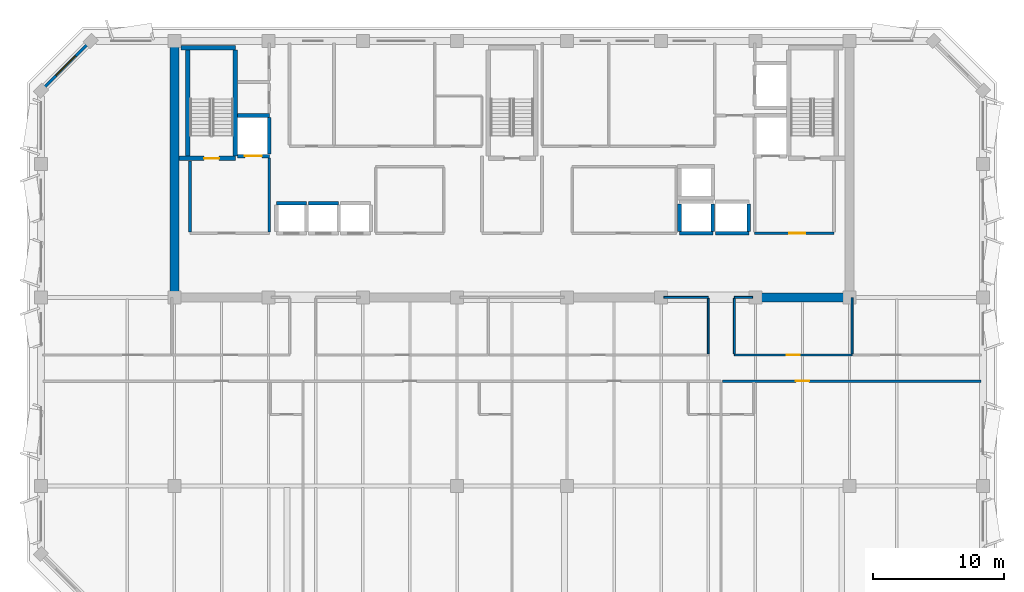
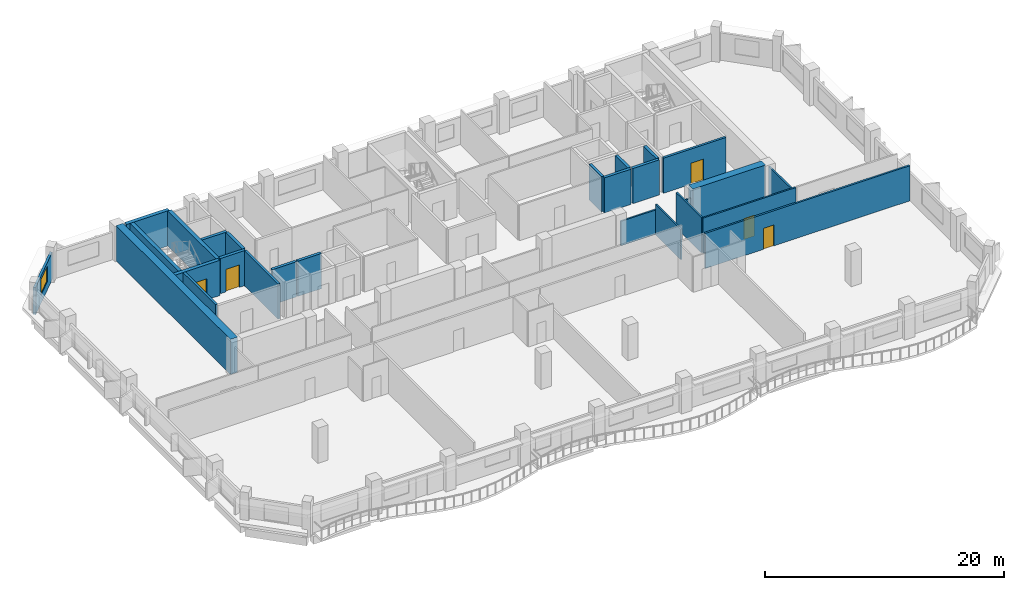
# One storey, part 5 of 11: 27 walls, 5 doors, 1 window, 6 openings.
"""IFC4 building model written with IfcOpenShell, lengths in metres."""

from ifc_helpers import new_model, si_unit, direction, frame, frame_2d, origin, place, context, subcontext, project, spatial, rectangle, extrude, material, layer, layer_set, type_object, element, fill, save


model = new_model("IFC4")

# Units and contexts
model_context = context("Model", 3, precision=1e-05, world=origin(), true_north=direction((0.0, 1.0)))
body_context = subcontext(model_context, "Body", "Model", "MODEL_VIEW")
ifc_project = project(units=[si_unit("LENGTHUNIT", "METRE"), si_unit("AREAUNIT", "SQUARE_METRE"), si_unit("VOLUMEUNIT", "CUBIC_METRE"), si_unit("PLANEANGLEUNIT", "RADIAN"), si_unit("MASSUNIT", "GRAM", prefix="KILO")], contexts=[model_context])

# Site, building, storey
site_placement = place(None, origin())
site = spatial("IfcSite", under=ifc_project, at=site_placement, CompositionType="ELEMENT")
building_placement = place(site_placement, origin())
building = spatial("IfcBuilding", under=site, at=building_placement, Name="Kaelvorn Grand Hotel", CompositionType="ELEMENT")
storey_placement = place(building_placement, frame((0.0, 0.0, 276.550048828125)))
storey = spatial("IfcBuildingStorey", under=building, at=storey_placement, Name="L68", CompositionType="ELEMENT", Elevation=276.550048828125)

# Walls
ifc_material_1 = material(Name="Concrete C50/60", Category="concrete")
ifc_layer_1 = layer(ifc_material_1, 0.699951171875)
ifc_layer_set_1 = layer_set([ifc_layer_1], Name="Concrete C50/60")
wall_type_1 = type_object("IfcWallType", Name="WL-CORE-700-C50", PredefinedType="SHEAR", material=ifc_layer_set_1)
wall_1_placement = place(storey_placement, frame((16.199951171875, 29.39990234375, 0.0), z_axis=(0.0, 0.0, 1.0), x_axis=(0.0, 1.0, 0.0)))
element("IfcWall", 1, at=wall_1_placement, inside=storey, type_object=wall_type_1, Name="L68 Rear-Core West Shear Wall", PredefinedType="SHEAR", context=body_context, shape_type="SweptSolid", body=[
    extrude(rectangle(XDim=19.2001953125, YDim=0.699951171875, at=frame_2d((9.60009765625, 0.0))), origin(), (0.0, 0.0, 1.0), 3.599853515625),
])
wall_2_placement = place(storey_placement, frame((60.39990234375, 29.39990234375, 0.0), z_axis=(0.0, 0.0, 1.0), x_axis=(1.0, 0.0, 0.0)))
element("IfcWall", 2, at=wall_2_placement, inside=storey, type_object=wall_type_1, Name="L68 Rear-Core Coupled Shear Pier S4", PredefinedType="SHEAR", context=body_context, shape_type="SweptSolid", body=[
    extrude(rectangle(XDim=7.045166015625, YDim=0.699951171875, at=frame_2d((3.5224609375, 0.0))), origin(), (0.0, 0.0, 1.0), 3.599853515625),
])

# Wall, opening, window
ifc_material_2 = material(Name="Concrete C40/50", Category="concrete")
ifc_layer_2 = layer(ifc_material_2, 0.219970703125)
ifc_layer_set_2 = layer_set([ifc_layer_2], Name="Concrete C40/50")
wall_type_2 = type_object("IfcWallType", Name="WL-EXT-220-C40", PredefinedType="SOLIDWALL", material=ifc_layer_set_2)
wall_3_placement = place(storey_placement, frame((9.800048828125, 49.0, 0.0), z_axis=(0.0, 0.0, 1.0), x_axis=(-0.707106781187, -0.707106781187, 0.0)))
wall_3 = element("IfcWall", 3, at=wall_3_placement, inside=storey, type_object=wall_type_2, Name="L68 Exterior Architectural Concrete Wall 06", PredefinedType="SOLIDWALL", context=body_context, shape_type="SweptSolid", body=[
    extrude(rectangle(XDim=5.3740234375, YDim=0.219970703125, at=frame_2d((2.68701171875, 0.0))), origin(), (0.0, 0.0, 1.0), 2.800048828125),
])
opening_1_placement = place(wall_3_placement, frame((1.636962890625, 0.0, 0.85009765625)))
opening_1 = element("IfcOpeningElement", 4, at=opening_1_placement, cuts=wall_3, Name="Opening W7", PredefinedType="OPENING", context=body_context, shape_type="SweptSolid", body=[
    extrude(rectangle(XDim=2.10009765625, YDim=1.60009765625, at=frame_2d((1.050048828125, 0.800048828125))), frame((0.0, 0.1201171875, 0.0), z_axis=(0.0, -1.0, 0.0), x_axis=(1.0, 0.0, 0.0)), (0.0, 0.0, 1.0), 0.239990234375),
])
ifc_material_3 = material(Name="Laminated Low-E Glass", Category="glass")
window_type = type_object("IfcWindowType", Name="WIN-CHM-2100x1600", PartitioningType="SINGLE_PANEL", PredefinedType="WINDOW", material=ifc_material_3)
window_placement = place(opening_1_placement, origin())
window = element("IfcWindow", 5, at=window_placement, inside=storey, type_object=window_type, Name="L68 Chamfered 45-Degree Corner Window NW", OverallHeight=1.60009765625, OverallWidth=2.10009765625, PartitioningType="SINGLE_PANEL", PredefinedType="WINDOW", context=body_context, shape_type="SweptSolid", body=[
    extrude(rectangle(XDim=2.10009765625, YDim=1.60009765625, at=frame_2d((1.050048828125, 0.800048828125))), frame((0.0, 0.030029296875, 0.0), z_axis=(0.0, -1.0, 0.0), x_axis=(1.0, 0.0, 0.0)), (0.0, 0.0, 1.0), 0.06005859375),
])
fill(opening_1, window)

# Walls
ifc_material_4 = material(Name="Acoustic Gypsum & Stud Partition")
ifc_layer_3 = layer(ifc_material_4, 0.14990234375)
ifc_layer_set_3 = layer_set([ifc_layer_3], Name="Acoustic Gypsum & Stud Partition")
wall_type_3 = type_object("IfcWallType", Name="WL-PART-150-EI60", PredefinedType="PARTITIONING", material=ifc_layer_set_3)
wall_4_placement = place(storey_placement, frame((53.610107421875, 29.39990234375, 0.0), z_axis=(0.0, 0.0, 1.0), x_axis=(1.0, 0.0, 0.0)))
element("IfcWall", 6, at=wall_4_placement, inside=storey, type_object=wall_type_3, Name="L68 Diplomatic Living Room N Partition (2)", PredefinedType="PARTITIONING", context=body_context, shape_type="SweptSolid", body=[
    extrude(rectangle(XDim=3.389892578125, YDim=0.14990234375, at=frame_2d((1.69482421875, 0.0))), origin(), (0.0, 0.0, 1.0), 2.5),
])
wall_5_placement = place(storey_placement, frame((57.0, 25.080078125, 0.0), z_axis=(0.0, 0.0, 1.0), x_axis=(0.0, 1.0, 0.0)))
element("IfcWall", 7, at=wall_5_placement, inside=storey, type_object=wall_type_3, Name="L68 Diplomatic Living Room E Partition", PredefinedType="PARTITIONING", context=body_context, shape_type="SweptSolid", body=[
    extrude(rectangle(XDim=4.239990234375, YDim=0.14990234375, at=frame_2d((2.1201171875, 0.0))), origin(), (0.0, 0.0, 1.0), 3.099853515625),
])

# Wall, opening, door
wall_6_placement = place(storey_placement, frame((59.0, 25.0, 0.0), z_axis=(0.0, 0.0, 1.0), x_axis=(1.0, 0.0, 0.0)))
wall_6 = element("IfcWall", 8, at=wall_6_placement, inside=storey, type_object=wall_type_3, Name="L68 Executive Meeting Room S Partition", PredefinedType="PARTITIONING", context=body_context, shape_type="SweptSolid", body=[
    extrude(rectangle(XDim=9.0, YDim=0.14990234375, at=frame_2d((4.5, 0.0))), origin(), (0.0, 0.0, 1.0), 3.599853515625),
])
opening_2_placement = place(wall_6_placement, frame((4.0, 0.0, 0.0)))
opening_2 = element("IfcOpeningElement", 9, at=opening_2_placement, cuts=wall_6, Name="Opening DI3", PredefinedType="OPENING", context=body_context, shape_type="SweptSolid", body=[
    extrude(rectangle(XDim=1.0, YDim=2.14990234375, at=frame_2d((0.5, 1.074951171875))), frame((0.0, 0.0849609375, 0.0), z_axis=(0.0, -1.0, 0.0), x_axis=(1.0, 0.0, 0.0)), (0.0, 0.0, 1.0), 0.169921875),
])
ifc_material_5 = material(Name="Timber Veneer Fire Leaf", Category="wood")
door_type_1 = type_object("IfcDoorType", Name="DR-INT-GUEST-1000x2150", OperationType="NOTDEFINED", PredefinedType="DOOR", material=ifc_material_5)
door_1_placement = place(opening_2_placement, origin())
door_1 = element("IfcDoor", 10, at=door_1_placement, inside=storey, type_object=door_type_1, Name="L68 Executive Meeting Room Door", OperationType="SINGLE_SWING_LEFT", OverallHeight=2.14990234375, OverallWidth=1.0, PredefinedType="DOOR", context=body_context, shape_type="SweptSolid", body=[
    extrude(rectangle(XDim=1.0, YDim=2.14990234375, at=frame_2d((0.5, 1.074951171875))), frame((0.0, 0.02490234375, 0.0), z_axis=(0.0, -1.0, 0.0), x_axis=(1.0, 0.0, 0.0)), (0.0, 0.0, 1.0), 0.050048828125),
])
fill(opening_2, door_1)

# Walls
wall_7_placement = place(storey_placement, frame((59.0, 29.39990234375, 0.0), z_axis=(0.0, 0.0, 1.0), x_axis=(1.0, 0.0, 0.0)))
element("IfcWall", 11, at=wall_7_placement, inside=storey, type_object=wall_type_3, Name="L68 Executive Meeting Room N Partition", PredefinedType="PARTITIONING", context=body_context, shape_type="SweptSolid", body=[
    extrude(rectangle(XDim=1.389892578125, YDim=0.14990234375, at=frame_2d((0.69482421875, 0.0))), origin(), (0.0, 0.0, 1.0), 2.5),
])
wall_8_placement = place(storey_placement, frame((59.0, 25.080078125, 0.0), z_axis=(0.0, 0.0, 1.0), x_axis=(0.0, 1.0, 0.0)))
element("IfcWall", 12, at=wall_8_placement, inside=storey, type_object=wall_type_3, Name="L68 Executive Meeting Room W Partition", PredefinedType="PARTITIONING", context=body_context, shape_type="SweptSolid", body=[
    extrude(rectangle(XDim=4.239990234375, YDim=0.14990234375, at=frame_2d((2.1201171875, 0.0))), origin(), (0.0, 0.0, 1.0), 3.599853515625),
])
wall_9_placement = place(storey_placement, frame((68.0, 25.080078125, 0.0), z_axis=(0.0, 0.0, 1.0), x_axis=(0.0, 1.0, 0.0)))
element("IfcWall", 13, at=wall_9_placement, inside=storey, type_object=wall_type_3, Name="L68 Executive Meeting Room E Partition", PredefinedType="PARTITIONING", context=body_context, shape_type="SweptSolid", body=[
    extrude(rectangle(XDim=4.309814453125, YDim=0.14990234375, at=frame_2d((2.15478515625, 0.0))), origin(), (0.0, 0.0, 1.0), 3.099853515625),
])

# Wall, opening, door
ifc_layer_4 = layer(ifc_material_4, 0.179931640625)
ifc_layer_set_4 = layer_set([ifc_layer_4], Name="Acoustic Gypsum & Stud Partition")
wall_type_4 = type_object("IfcWallType", Name="WL-PART-180-EI60", PredefinedType="PARTITIONING", material=ifc_layer_set_4)
wall_10_placement = place(storey_placement, frame((58.070068359375, 23.0, 0.0), z_axis=(0.0, 0.0, 1.0), x_axis=(1.0, 0.0, 0.0)))
wall_10 = element("IfcWall", 14, at=wall_10_placement, inside=storey, type_object=wall_type_4, Name="L68 Presidential Sky Suite L68-04 N Partition", PredefinedType="PARTITIONING", context=body_context, shape_type="SweptSolid", body=[
    extrude(rectangle(XDim=19.780029296875, YDim=0.179931640625, at=frame_2d((9.89013671875, 0.0))), origin(), (0.0, 0.0, 1.0), 3.599853515625),
])
opening_3_placement = place(wall_10_placement, frame((5.6298828125, 0.0, 0.0)))
opening_3 = element("IfcOpeningElement", 15, at=opening_3_placement, cuts=wall_10, Name="Opening DI3", PredefinedType="OPENING", context=body_context, shape_type="SweptSolid", body=[
    extrude(rectangle(XDim=1.0, YDim=2.14990234375, at=frame_2d((0.5, 1.074951171875))), frame((0.0, 0.10009765625, 0.0), z_axis=(0.0, -1.0, 0.0), x_axis=(1.0, 0.0, 0.0)), (0.0, 0.0, 1.0), 0.199951171875),
])
door_2_placement = place(opening_3_placement, origin())
door_2 = element("IfcDoor", 16, at=door_2_placement, inside=storey, type_object=door_type_1, Name="L68 Presidential Sky Suite L68-04 Door", OperationType="SINGLE_SWING_RIGHT", OverallHeight=2.14990234375, OverallWidth=1.0, PredefinedType="DOOR", context=body_context, shape_type="SweptSolid", body=[
    extrude(rectangle(XDim=1.0, YDim=2.14990234375, at=frame_2d((0.5, 1.074951171875))), frame((0.0, 0.02490234375, 0.0), z_axis=(0.0, -1.0, 0.0), x_axis=(1.0, 0.0, 0.0)), (0.0, 0.0, 1.0), 0.050048828125),
])
fill(opening_3, door_2)

# Walls
ifc_layer_5 = layer(ifc_material_2, 0.219970703125)
ifc_layer_set_5 = layer_set([ifc_layer_5], Name="Concrete C40/50")
wall_type_5 = type_object("IfcWallType", Name="WL-PART-220-EI120", PredefinedType="PARTITIONING", material=ifc_layer_set_5)
wall_11_placement = place(storey_placement, frame((17.39990234375, 34.4150390625, 0.0), z_axis=(0.0, 0.0, 1.0), x_axis=(0.0, 1.0, 0.0)))
element("IfcWall", 17, at=wall_11_placement, inside=storey, type_object=wall_type_5, Name="L68 Firefighting Lift Lobby 1 W Partition", PredefinedType="PARTITIONING", context=body_context, shape_type="SweptSolid", body=[
    extrude(rectangle(XDim=5.429931640625, YDim=0.219970703125, at=frame_2d((2.71484375, 0.0))), origin(), (0.0, 0.0, 1.0), 3.599853515625),
])
wall_12_placement = place(storey_placement, frame((23.449951171875, 34.4150390625, 0.0), z_axis=(0.0, 0.0, 1.0), x_axis=(0.0, 1.0, 0.0)))
element("IfcWall", 18, at=wall_12_placement, inside=storey, type_object=wall_type_5, Name="L68 Firefighting Lift Lobby 1 E Partition", PredefinedType="PARTITIONING", context=body_context, shape_type="SweptSolid", body=[
    extrude(rectangle(XDim=5.639892578125, YDim=0.219970703125, at=frame_2d((2.81982421875, 0.0))), origin(), (0.0, 0.0, 1.0), 3.599853515625),
])

# Wall, opening, door
wall_13_placement = place(storey_placement, frame((60.550048828125, 34.300048828125, 0.0), z_axis=(0.0, 0.0, 1.0), x_axis=(1.0, 0.0, 0.0)))
wall_13 = element("IfcWall", 19, at=wall_13_placement, inside=storey, type_object=wall_type_5, Name="L68 Firefighting Lift Lobby 2 S Partition", PredefinedType="PARTITIONING", context=body_context, shape_type="SweptSolid", body=[
    extrude(rectangle(XDim=6.050048828125, YDim=0.219970703125, at=frame_2d((3.02490234375, 0.0))), origin(), (0.0, 0.0, 1.0), 3.599853515625),
])
opening_4_placement = place(wall_13_placement, frame((2.64990234375, 0.0, 0.0)))
opening_4 = element("IfcOpeningElement", 20, at=opening_4_placement, cuts=wall_13, Name="Opening DI2", PredefinedType="OPENING", context=body_context, shape_type="SweptSolid", body=[
    extrude(rectangle(XDim=1.199951171875, YDim=2.14990234375, at=frame_2d((0.60009765625, 1.074951171875))), frame((0.0, 0.1201171875, 0.0), z_axis=(0.0, -1.0, 0.0), x_axis=(1.0, 0.0, 0.0)), (0.0, 0.0, 1.0), 0.239990234375),
])
door_type_2 = type_object("IfcDoorType", Name="DR-INT-FFLOB-1200x2150", OperationType="NOTDEFINED", PredefinedType="DOOR", material=ifc_material_5)
door_3_placement = place(opening_4_placement, origin())
door_3 = element("IfcDoor", 21, at=door_3_placement, inside=storey, type_object=door_type_2, Name="L68 Firefighting Lift Lobby 2 Door", OperationType="SINGLE_SWING_RIGHT", OverallHeight=2.14990234375, OverallWidth=1.199951171875, PredefinedType="DOOR", context=body_context, shape_type="SweptSolid", body=[
    extrude(rectangle(XDim=1.199951171875, YDim=2.14990234375, at=frame_2d((0.60009765625, 1.074951171875))), frame((0.0, 0.02490234375, 0.0), z_axis=(0.0, -1.0, 0.0), x_axis=(1.0, 0.0, 0.0)), (0.0, 0.0, 1.0), 0.050048828125),
])
fill(opening_4, door_3)

# Walls
ifc_layer_6 = layer(ifc_material_1, 0.280029296875)
ifc_layer_set_6 = layer_set([ifc_layer_6], Name="Concrete C50/60")
wall_type_6 = type_object("IfcWallType", Name="WL-SHAFT-280-C50", PredefinedType="SHEAR", material=ifc_layer_set_6)
for number, where, z_axis, x_axis, name in (
    (22, (24.0, 36.60009765625, 0.0), (0.0, 0.0, 1.0), (1.0, 0.0, 0.0), "L68 Lift PL-H1 Shaft North Wall"),
    (23, (26.449951171875, 36.60009765625, 0.0), (0.0, 0.0, 1.0), (1.0, 0.0, 0.0), "L68 Lift PL-H2 Shaft North Wall"),
):
    element("IfcWall", number, at=place(storey_placement, frame(where, z_axis=z_axis, x_axis=x_axis)), inside=storey, type_object=wall_type_6, Name=name, PredefinedType="SHEAR", context=body_context, shape_type="SweptSolid", body=[
        extrude(rectangle(XDim=2.300048828125, YDim=0.280029296875, at=frame_2d((1.14990234375, 0.0))), origin(), (0.0, 0.0, 1.0), 3.599853515625),
    ])
wall_14_placement = place(storey_placement, frame((54.800048828125, 34.300048828125, 0.0), z_axis=(0.0, 0.0, 1.0), x_axis=(1.0, 0.0, 0.0)))
element("IfcWall", 24, at=wall_14_placement, inside=storey, type_object=wall_type_6, Name="L68 Lift OL-1 Shaft South Wall", PredefinedType="SHEAR", context=body_context, shape_type="SweptSolid", body=[
    extrude(rectangle(XDim=2.550048828125, YDim=0.280029296875, at=frame_2d((1.27490234375, 0.0))), origin(), (0.0, 0.0, 1.0), 3.599853515625),
])
for number, where, z_axis, x_axis, name in (
    (25, (54.800048828125, 34.445068359375, 0.0), (0.0, 0.0, 1.0), (0.0, 1.0, 0.0), "L68 Lift OL-1 Shaft West Wall"),
    (26, (57.35009765625, 34.445068359375, 0.0), (0.0, 0.0, 1.0), (0.0, 1.0, 0.0), "L68 Lift OL-1 Shaft East Wall"),
):
    element("IfcWall", number, at=place(storey_placement, frame(where, z_axis=z_axis, x_axis=x_axis)), inside=storey, type_object=wall_type_6, Name=name, PredefinedType="SHEAR", context=body_context, shape_type="SweptSolid", body=[
        extrude(rectangle(XDim=2.10986328125, YDim=0.280029296875, at=frame_2d((1.054931640625, 0.0))), origin(), (0.0, 0.0, 1.0), 3.599853515625),
    ])
wall_15_placement = place(storey_placement, frame((57.550048828125, 34.300048828125, 0.0), z_axis=(0.0, 0.0, 1.0), x_axis=(1.0, 0.0, 0.0)))
element("IfcWall", 27, at=wall_15_placement, inside=storey, type_object=wall_type_6, Name="L68 Lift OL-2 Shaft South Wall", PredefinedType="SHEAR", context=body_context, shape_type="SweptSolid", body=[
    extrude(rectangle(XDim=2.550048828125, YDim=0.280029296875, at=frame_2d((1.27490234375, 0.0))), origin(), (0.0, 0.0, 1.0), 3.599853515625),
])
wall_16_placement = place(storey_placement, frame((60.10009765625, 34.445068359375, 0.0), z_axis=(0.0, 0.0, 1.0), x_axis=(0.0, 1.0, 0.0)))
element("IfcWall", 28, at=wall_16_placement, inside=storey, type_object=wall_type_6, Name="L68 Lift OL-2 Shaft East Wall", PredefinedType="SHEAR", context=body_context, shape_type="SweptSolid", body=[
    extrude(rectangle(XDim=2.10986328125, YDim=0.280029296875, at=frame_2d((1.054931640625, 0.0))), origin(), (0.0, 0.0, 1.0), 3.599853515625),
])

# Wall, opening, door
wall_17_placement = place(storey_placement, frame((21.034912109375, 40.199951171875, 0.0), z_axis=(0.0, 0.0, 1.0), x_axis=(1.0, 0.0, 0.0)))
wall_17 = element("IfcWall", 29, at=wall_17_placement, inside=storey, type_object=wall_type_6, Name="L68 Lift FFL1 Shaft South Wall", PredefinedType="SHEAR", context=body_context, shape_type="SweptSolid", body=[
    extrude(rectangle(XDim=2.4150390625, YDim=0.280029296875, at=frame_2d((1.20751953125, 0.0))), origin(), (0.0, 0.0, 1.0), 3.599853515625),
])
opening_5_placement = place(wall_17_placement, frame((0.5400390625, 0.0, 0.0)))
opening_5 = element("IfcOpeningElement", 30, at=opening_5_placement, cuts=wall_17, Name="Opening LD-FFL1", PredefinedType="OPENING", context=body_context, shape_type="SweptSolid", body=[
    extrude(rectangle(XDim=1.300048828125, YDim=2.300048828125, at=frame_2d((0.64990234375, 1.14990234375))), frame((0.0, 0.14990234375, 0.0), z_axis=(0.0, -1.0, 0.0), x_axis=(1.0, 0.0, 0.0)), (0.0, 0.0, 1.0), 0.300048828125),
])
ifc_material_6 = material(Name="Stainless Steel", Category="steel")
door_type_3 = type_object("IfcDoorType", Name="DR-LIFT-SERV-1300x2300", OperationType="DOUBLE_DOOR_SLIDING", PredefinedType="DOOR", material=ifc_material_6)
door_4_placement = place(opening_5_placement, origin())
door_4 = element("IfcDoor", 31, at=door_4_placement, inside=storey, type_object=door_type_3, Name="L68 Lift FFL1 Sliding Landing Door LD-FFL1", OperationType="DOUBLE_DOOR_SLIDING", OverallHeight=2.300048828125, OverallWidth=1.300048828125, PredefinedType="DOOR", context=body_context, shape_type="SweptSolid", body=[
    extrude(rectangle(XDim=1.300048828125, YDim=2.300048828125, at=frame_2d((0.64990234375, 1.14990234375))), frame((0.0, 0.02490234375, 0.0), z_axis=(0.0, -1.0, 0.0), x_axis=(1.0, 0.0, 0.0)), (0.0, 0.0, 1.0), 0.050048828125),
])
fill(opening_5, door_4)

# Walls
wall_18_placement = place(storey_placement, frame((21.034912109375, 43.300048828125, 0.0), z_axis=(0.0, 0.0, 1.0), x_axis=(1.0, 0.0, 0.0)))
element("IfcWall", 32, at=wall_18_placement, inside=storey, type_object=wall_type_6, Name="L68 Lift FFL1 Shaft North Wall", PredefinedType="SHEAR", context=body_context, shape_type="SweptSolid", body=[
    extrude(rectangle(XDim=2.4150390625, YDim=0.280029296875, at=frame_2d((1.20751953125, 0.0))), origin(), (0.0, 0.0, 1.0), 3.599853515625),
])
wall_19_placement = place(storey_placement, frame((23.449951171875, 40.344970703125, 0.0), z_axis=(0.0, 0.0, 1.0), x_axis=(0.0, 1.0, 0.0)))
element("IfcWall", 33, at=wall_19_placement, inside=storey, type_object=wall_type_6, Name="L68 Lift FFL1 Shaft East Wall", PredefinedType="SHEAR", context=body_context, shape_type="SweptSolid", body=[
    extrude(rectangle(XDim=2.81005859375, YDim=0.280029296875, at=frame_2d((1.405029296875, 0.0))), origin(), (0.0, 0.0, 1.0), 3.599853515625),
])

# Wall, opening, door
ifc_material_7 = material(Name="Concrete C60/75", Category="concrete")
ifc_layer_7 = layer(ifc_material_7, 0.35009765625)
ifc_layer_set_7 = layer_set([ifc_layer_7], Name="Concrete C60/75")
wall_type_7 = type_object("IfcWallType", Name="WL-SHAFT-350-C60", PredefinedType="SHEAR", material=ifc_layer_set_7)
wall_20_placement = place(storey_placement, frame((16.554931640625, 40.02490234375, 0.0), z_axis=(0.0, 0.0, 1.0), x_axis=(1.0, 0.0, 0.0)))
wall_20 = element("IfcWall", 34, at=wall_20_placement, inside=storey, type_object=wall_type_7, Name="L68 ST1 Stair Shaft South Wall", PredefinedType="SHEAR", context=body_context, shape_type="SweptSolid", body=[
    extrude(rectangle(XDim=4.300048828125, YDim=0.35009765625, at=frame_2d((2.14990234375, 0.0))), origin(), (0.0, 0.0, 1.0), 3.599853515625),
])
opening_6_placement = place(wall_20_placement, frame((1.909912109375, 0.0, 0.0)))
opening_6 = element("IfcOpeningElement", 35, at=opening_6_placement, cuts=wall_20, Name="Opening DI1", PredefinedType="OPENING", context=body_context, shape_type="SweptSolid", body=[
    extrude(rectangle(XDim=1.14990234375, YDim=2.14990234375, at=frame_2d((0.574951171875, 1.074951171875))), frame((0.0, 0.18505859375, 0.0), z_axis=(0.0, -1.0, 0.0), x_axis=(1.0, 0.0, 0.0)), (0.0, 0.0, 1.0), 0.3701171875),
])
door_type_4 = type_object("IfcDoorType", Name="DR-INT-STAIR-1150x2150", OperationType="NOTDEFINED", PredefinedType="DOOR", material=ifc_material_5)
door_5_placement = place(opening_6_placement, origin())
door_5 = element("IfcDoor", 36, at=door_5_placement, inside=storey, type_object=door_type_4, Name="L68 ST1 Exit Stair Fire Door", OperationType="SINGLE_SWING_RIGHT", OverallHeight=2.14990234375, OverallWidth=1.14990234375, PredefinedType="DOOR", context=body_context, shape_type="SweptSolid", body=[
    extrude(rectangle(XDim=1.14990234375, YDim=2.14990234375, at=frame_2d((0.574951171875, 1.074951171875))), frame((0.0, 0.02490234375, 0.0), z_axis=(0.0, -1.0, 0.0), x_axis=(1.0, 0.0, 0.0)), (0.0, 0.0, 1.0), 0.050048828125),
])
fill(opening_6, door_5)

# Walls
wall_21_placement = place(storey_placement, frame((16.705078125, 48.47509765625, 0.0), z_axis=(0.0, 0.0, 1.0), x_axis=(1.0, 0.0, 0.0)))
element("IfcWall", 37, at=wall_21_placement, inside=storey, type_object=wall_type_7, Name="L68 ST1 Stair Shaft North Wall", PredefinedType="SHEAR", context=body_context, shape_type="SweptSolid", body=[
    extrude(rectangle(XDim=4.14990234375, YDim=0.35009765625, at=frame_2d((2.074951171875, 0.0))), origin(), (0.0, 0.0, 1.0), 3.599853515625),
])
for number, where, z_axis, x_axis, name in (
    (38, (17.22509765625, 40.205078125, 0.0), (0.0, 0.0, 1.0), (0.0, 1.0, 0.0), "L68 ST1 Stair Shaft West Wall"),
    (39, (20.85498046875, 40.205078125, 0.0), (0.0, 0.0, 1.0), (0.0, 1.0, 0.0), "L68 ST1 Stair Shaft East Wall"),
):
    element("IfcWall", number, at=place(storey_placement, frame(where, z_axis=z_axis, x_axis=x_axis)), inside=storey, type_object=wall_type_7, Name=name, PredefinedType="SHEAR", context=body_context, shape_type="SweptSolid", body=[
        extrude(rectangle(XDim=8.08984375, YDim=0.35009765625, at=frame_2d((4.044921875, 0.0))), origin(), (0.0, 0.0, 1.0), 3.599853515625),
    ])

save(model, "model.ifc")
